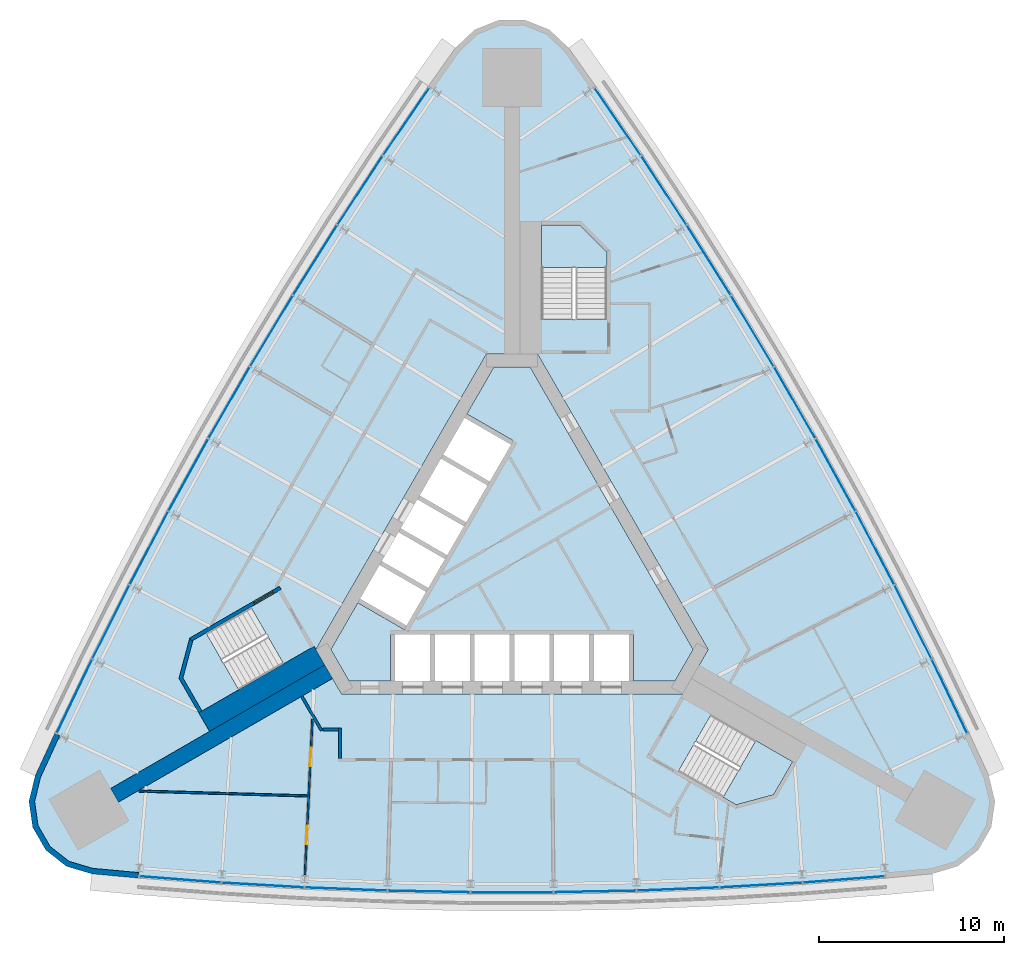
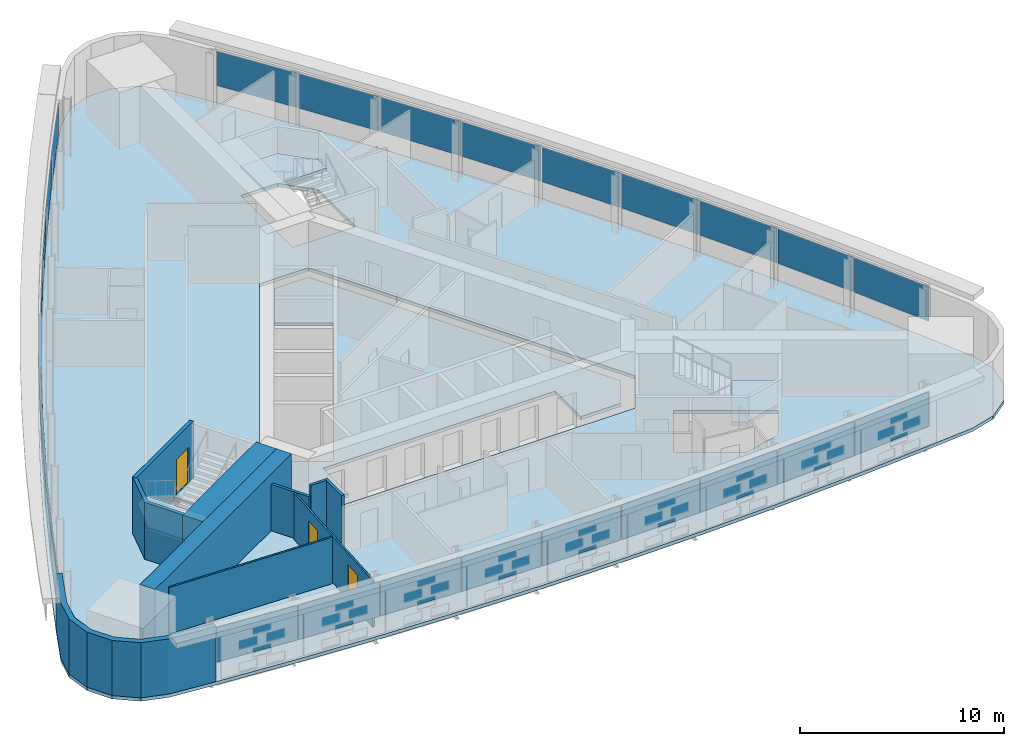
# One storey, part 8 of 14: 27 plates, 10 walls, 5 slabs, 3 doors, 3 openings, 6 elements without a shape of their own.
"""IFC4 building model written with IfcOpenShell, lengths in metres."""

from ifc_helpers import new_model, si_unit, direction, frame, frame_2d, origin, origin_2d, place, context, subcontext, project, spatial, polyline, rectangle, outline, extrude, material, layer, layer_set, type_object, element, fill, aggregate, save


model = new_model("IFC4")

# Units and contexts
model_context = context("Model", 3, precision=1e-05, world=origin(), true_north=direction((0.0, 1.0)))
body_context = subcontext(model_context, "Body", "Model", "MODEL_VIEW")
ifc_project = project(units=[si_unit("LENGTHUNIT", "METRE"), si_unit("AREAUNIT", "SQUARE_METRE"), si_unit("VOLUMEUNIT", "CUBIC_METRE"), si_unit("PLANEANGLEUNIT", "RADIAN"), si_unit("MASSUNIT", "GRAM", prefix="KILO")], contexts=[model_context])

# Site, building, storey
site_placement = place(None, origin())
site = spatial("IfcSite", under=ifc_project, at=site_placement, CompositionType="ELEMENT")
building_placement = place(site_placement, origin())
building = spatial("IfcBuilding", under=site, at=building_placement, Name="Noor Cloister Tower", CompositionType="ELEMENT")
storey_placement = place(building_placement, frame((0.0, 0.0, 72.60009765625)))
storey = spatial("IfcBuildingStorey", under=building, at=storey_placement, Name="L18", CompositionType="ELEMENT", Elevation=72.60009765625)

# Slabs
ifc_material_1 = material(Name="Concrete C40/50", Category="concrete")
ifc_layer_1 = layer(ifc_material_1, 0.199951171875)
ifc_layer_set_1 = layer_set([ifc_layer_1], Name="Core floor slab 200 C40/50")
slab_type_1 = type_object("IfcSlabType", Name="Core floor slab 200 C40/50", PredefinedType="FLOOR", material=ifc_layer_set_1)
slab_1_placement = place(storey_placement, frame((0.0, 0.0, -0.2001953125)))
element("IfcSlab", 1, at=slab_1_placement, inside=storey, type_object=slab_type_1, Name="Core floor L18", PredefinedType="FLOOR", context=body_context, shape_type="SweptSolid", body=[
    extrude(outline(polyline([(-6.574951171875, -6.228271484375), (-6.574951171875, -3.728271484375), (6.574951171875, -3.728271484375), (6.574951171875, -6.228271484375), (8.82470703125, -6.228271484375), (9.80615234375, -4.5283203125), (0.9814453125, 10.75634765625), (-0.9814453125, 10.75634765625), (-2.44384765625, 8.2236328125), (0.067626953125, 6.773681640625), (-5.832275390625, -3.4453125), (-8.34375, -1.995361328125), (-9.80615234375, -4.5283203125), (-8.82470703125, -6.228271484375), (-6.574951171875, -6.228271484375)])), origin(), (0.0, 0.0, 1.0), 0.2001953125),
])
ifc_material_2 = material(Name="Concrete C40/50", Category="concrete")
ifc_layer_2 = layer(ifc_material_2, 0.199951171875)
ifc_layer_set_2 = layer_set([ifc_layer_2], Name="Floor slab 200 C40/50")
slab_type_2 = type_object("IfcSlabType", Name="Floor slab 200 C40/50", PredefinedType="FLOOR", material=ifc_layer_set_2)
slab_2_placement = place(storey_placement, frame((0.0, 0.0, -0.2001953125)))
element("IfcSlab", 2, at=slab_2_placement, inside=storey, type_object=slab_type_2, Name="Floor slab L18", PredefinedType="FLOOR", context=body_context, shape_type="SweptSolid", body=[
    extrude(outline(polyline([(3.05908203125, 28.035888671875), (2.029052734375, 29.013916015625), (0.710205078125, 29.540283203125), (-0.710205078125, 29.540283203125), (-2.029052734375, 29.013916015625), (-3.05908203125, 28.035888671875), (-4.524169921875, 25.96533203125), (-7.06787109375, 22.25341796875), (-9.53955078125, 18.492919921875), (-11.938232421875, 14.685546875), (-14.262939453125, 10.832763671875), (-16.5126953125, 6.935546875), (-18.687255859375, 2.995849609375), (-20.78515625, -0.985107421875), (-22.805908203125, -5.005615234375), (-24.748779296875, -9.064697265625), (-25.809326171875, -11.36865234375), (-26.141357421875, -12.74951171875), (-25.937744140625, -14.1552734375), (-25.227783203125, -15.38525390625), (-24.112060546875, -16.26416015625), (-22.750244140625, -16.6669921875), (-20.224609375, -16.900634765625), (-15.738037109375, -17.24755859375), (-11.24560546875, -17.508056640625), (-6.7490234375, -17.681640625), (-2.25, -17.768310546875), (2.25, -17.768310546875), (6.7490234375, -17.681640625), (11.24560546875, -17.508056640625), (15.738037109375, -17.24755859375), (20.224609375, -16.900634765625), (22.750244140625, -16.6669921875), (24.112060546875, -16.26416015625), (25.227783203125, -15.38525390625), (25.937744140625, -14.1552734375), (26.141357421875, -12.74951171875), (25.809326171875, -11.36865234375), (24.748779296875, -9.064697265625), (22.805908203125, -5.005615234375), (20.78515625, -0.985107421875), (18.687255859375, 2.995849609375), (16.5126953125, 6.935546875), (14.262939453125, 10.832763671875), (11.938232421875, 14.685546875), (9.53955078125, 18.492919921875), (7.06787109375, 22.25341796875), (4.524169921875, 25.96533203125), (3.05908203125, 28.035888671875)]), holes=[polyline([(8.999755859375, -11.126220703125), (12.131591796875, -12.934326171875), (14.1572265625, -12.3916015625), (15.19091796875, -10.601318359375), (10.774658203125, -8.0517578125), (8.999755859375, -11.126220703125)]), polyline([(-17.81005859375, -6.064697265625), (-16.776611328125, -7.85498046875), (-12.3603515625, -5.305419921875), (-14.13525390625, -2.23095703125), (-16.662841796875, -3.690185546875), (-17.267333984375, -4.039306640625), (-17.81005859375, -6.064697265625)]), polyline([(-10.6142578125, -4.5283203125), (-9.228759765625, -6.92822265625), (9.228759765625, -6.92822265625), (10.6142578125, -4.5283203125), (1.3857421875, 11.456298828125), (-1.3857421875, 11.456298828125), (-10.6142578125, -4.5283203125)]), polyline([(3.65283203125, 18.456298828125), (1.585693359375, 18.456298828125), (1.585693359375, 13.35693359375), (5.135498046875, 13.35693359375), (5.135498046875, 16.9736328125), (3.65283203125, 18.456298828125)])]), origin(), (0.0, 0.0, 1.0), 0.2001953125),
])

# Curtain wall, plates
ifc_material_3 = material(Name="Aluminium 6063-T6 anodised", Category="aluminium")
curtain_wall_type = type_object("IfcCurtainWallType", Name="Ribbon curtain wall, lower tower CW1", PredefinedType="NOTDEFINED", material=ifc_material_3)
curtain_wall_1_placement = place(storey_placement, origin())
curtain_wall_1 = element("IfcCurtainWall", 3, at=curtain_wall_1_placement, inside=storey, type_object=curtain_wall_type, Name="CW1 L18 NW run 1", PredefinedType="NOTDEFINED")
ifc_material_4 = material(Name="Clear laminated glass 2 x 8 mm", Category="glass")
ifc_layer_3 = layer(ifc_material_4, 0.028076171875)
ifc_layer_set_3 = layer_set([ifc_layer_3], Name="Glass panel CW1")
plate_type = type_object("IfcPlateType", Name="Glass panel CW1", PredefinedType="CURTAIN_PANEL", material=ifc_layer_set_3)
plate_1_placement = place(storey_placement, frame((-5.724609375, 24.03662109375, 1.08984375), z_axis=(0.0, 0.0, 1.0), x_axis=(-0.56527615209, -0.82490173468, 0.0)))
plate_1 = element("IfcPlate", 4, at=plate_1_placement, type_object=plate_type, Name="CW1 glass panel 1", PredefinedType="CURTAIN_PANEL", context=body_context, shape_type="SweptSolid", body=[
    extrude(rectangle(XDim=4.39892578125, YDim=0.028076171875, at=origin_2d()), origin(), (0.0, 0.0, 1.0), 2.070068359375),
])
plate_2_placement = place(storey_placement, frame((-8.22021484375, 20.318359375, 1.08984375), z_axis=(0.0, 0.0, 1.0), x_axis=(-0.549257685694, -0.835653034881, 0.0)))
plate_2 = element("IfcPlate", 5, at=plate_2_placement, type_object=plate_type, Name="CW1 glass panel 2", PredefinedType="CURTAIN_PANEL", context=body_context, shape_type="SweptSolid", body=[
    extrude(rectangle(XDim=4.43798828125, YDim=0.028076171875, at=origin_2d()), origin(), (0.0, 0.0, 1.0), 2.070068359375),
])
plate_3_placement = place(storey_placement, frame((-10.654296875, 16.535888671875, 1.08984375), z_axis=(0.0, 0.0, 1.0), x_axis=(-0.533034810395, -0.846093310993, 0.0)))
plate_3 = element("IfcPlate", 6, at=plate_3_placement, type_object=plate_type, Name="CW1 glass panel 3", PredefinedType="CURTAIN_PANEL", context=body_context, shape_type="SweptSolid", body=[
    extrude(rectangle(XDim=4.43798828125, YDim=0.028076171875, at=origin_2d()), origin(), (0.0, 0.0, 1.0), 2.070068359375),
])
plate_4_placement = place(storey_placement, frame((-13.014892578125, 12.70751953125, 1.08984375), z_axis=(0.0, 0.0, 1.0), x_axis=(-0.516613534697, -0.856218696226, 0.0)))
plate_4 = element("IfcPlate", 7, at=plate_4_placement, type_object=plate_type, Name="CW1 glass panel 4", PredefinedType="CURTAIN_PANEL", context=body_context, shape_type="SweptSolid", body=[
    extrude(rectangle(XDim=4.43798828125, YDim=0.028076171875, at=origin_2d()), origin(), (0.0, 0.0, 1.0), 2.070068359375),
])
plate_5_placement = place(storey_placement, frame((-15.30126953125, 8.834228515625, 1.08984375), z_axis=(0.0, 0.0, 1.0), x_axis=(-0.5, -0.866025403784, 0.0)))
plate_5 = element("IfcPlate", 8, at=plate_5_placement, type_object=plate_type, Name="CW1 glass panel 5", PredefinedType="CURTAIN_PANEL", context=body_context, shape_type="SweptSolid", body=[
    extrude(rectangle(XDim=4.43798828125, YDim=0.028076171875, at=origin_2d()), origin(), (0.0, 0.0, 1.0), 2.070068359375),
])
plate_6_placement = place(storey_placement, frame((-17.512451171875, 4.91748046875, 1.08984375), z_axis=(0.0, 0.0, 1.0), x_axis=(-0.483200374778, -0.8755097931, 0.0)))
plate_6 = element("IfcPlate", 9, at=plate_6_placement, type_object=plate_type, Name="CW1 glass panel 6", PredefinedType="CURTAIN_PANEL", context=body_context, shape_type="SweptSolid", body=[
    extrude(rectangle(XDim=4.43798828125, YDim=0.028076171875, at=origin_2d()), origin(), (0.0, 0.0, 1.0), 2.070068359375),
])
plate_7_placement = place(storey_placement, frame((-19.647705078125, 0.958740234375, 1.08984375), z_axis=(0.0, 0.0, 1.0), x_axis=(-0.466220896094, -0.8846683424, 0.0)))
plate_7 = element("IfcPlate", 10, at=plate_7_placement, type_object=plate_type, Name="CW1 glass panel 7", PredefinedType="CURTAIN_PANEL", context=body_context, shape_type="SweptSolid", body=[
    extrude(rectangle(XDim=4.43798828125, YDim=0.028076171875, at=origin_2d()), origin(), (0.0, 0.0, 1.0), 2.070068359375),
])
plate_8_placement = place(storey_placement, frame((-21.706298828125, -3.040283203125, 1.08984375), z_axis=(0.0, 0.0, 1.0), x_axis=(-0.449067914109, -0.893497626476, 0.0)))
plate_8 = element("IfcPlate", 11, at=plate_8_placement, type_object=plate_type, Name="CW1 glass panel 8", PredefinedType="CURTAIN_PANEL", context=body_context, shape_type="SweptSolid", body=[
    extrude(rectangle(XDim=4.43798828125, YDim=0.028076171875, at=origin_2d()), origin(), (0.0, 0.0, 1.0), 2.070068359375),
])
plate_9_placement = place(storey_placement, frame((-23.6787109375, -7.060791015625, 1.08984375), z_axis=(0.0, 0.0, 1.0), x_axis=(-0.431747781814, -0.901994375203, 0.0)))
plate_9 = element("IfcPlate", 12, at=plate_9_placement, type_object=plate_type, Name="CW1 glass panel 9", PredefinedType="CURTAIN_PANEL", context=body_context, shape_type="SweptSolid", body=[
    extrude(rectangle(XDim=4.39892578125, YDim=0.028076171875, at=origin_2d()), origin(), (0.0, 0.0, 1.0), 2.070068359375),
])
aggregate(curtain_wall_1, [plate_1, plate_2, plate_3, plate_4, plate_5, plate_6, plate_7, plate_8, plate_9])

curtain_wall_2_placement = place(storey_placement, origin())
curtain_wall_2 = element("IfcCurtainWall", 13, at=curtain_wall_2_placement, inside=storey, type_object=curtain_wall_type, Name="CW1 L18 S run 2", PredefinedType="NOTDEFINED")
plate_10_placement = place(storey_placement, frame((-17.9541015625, -16.97607421875, 1.08984375), z_axis=(0.0, 0.0, 1.0), x_axis=(0.997023933904, -0.077092640523, 0.0)))
plate_10 = element("IfcPlate", 14, at=plate_10_placement, type_object=plate_type, Name="CW1 glass panel 1", PredefinedType="CURTAIN_PANEL", context=body_context, shape_type="SweptSolid", body=[
    extrude(rectangle(XDim=4.39892578125, YDim=0.028076171875, at=origin_2d()), origin(), (0.0, 0.0, 1.0), 2.070068359375),
])
plate_11_placement = place(storey_placement, frame((-13.486083984375, -17.278076171875, 1.08984375), z_axis=(0.0, 0.0, 1.0), x_axis=(0.998325599804, -0.057844591595, 0.0)))
plate_11 = element("IfcPlate", 15, at=plate_11_placement, type_object=plate_type, Name="CW1 glass panel 2", PredefinedType="CURTAIN_PANEL", context=body_context, shape_type="SweptSolid", body=[
    extrude(rectangle(XDim=4.43798828125, YDim=0.028076171875, at=origin_2d()), origin(), (0.0, 0.0, 1.0), 2.070068359375),
])
plate_12_placement = place(storey_placement, frame((-8.993408203125, -17.494873046875, 1.08984375), z_axis=(0.0, 0.0, 1.0), x_axis=(0.99925570649, -0.038575031407, 0.0)))
plate_12 = element("IfcPlate", 16, at=plate_12_placement, type_object=plate_type, Name="CW1 glass panel 3", PredefinedType="CURTAIN_PANEL", context=body_context, shape_type="SweptSolid", body=[
    extrude(rectangle(XDim=4.43798828125, YDim=0.028076171875, at=origin_2d()), origin(), (0.0, 0.0, 1.0), 2.070068359375),
])
plate_13_placement = place(storey_placement, frame((-4.49755859375, -17.625, 1.08984375), z_axis=(0.0, 0.0, 1.0), x_axis=(0.999813909476, -0.019291096874, 0.0)))
plate_13 = element("IfcPlate", 17, at=plate_13_placement, type_object=plate_type, Name="CW1 glass panel 4", PredefinedType="CURTAIN_PANEL", context=body_context, shape_type="SweptSolid", body=[
    extrude(rectangle(XDim=4.43798828125, YDim=0.028076171875, at=origin_2d()), origin(), (0.0, 0.0, 1.0), 2.070068359375),
])
plate_14_placement = place(storey_placement, frame((0.0, -17.668212890625, 1.08984375), z_axis=(0.0, 0.0, 1.0), x_axis=(1.0, 0.0, 0.0)))
plate_14 = element("IfcPlate", 18, at=plate_14_placement, type_object=plate_type, Name="CW1 glass panel 5", PredefinedType="CURTAIN_PANEL", context=body_context, shape_type="SweptSolid", body=[
    extrude(rectangle(XDim=4.43798828125, YDim=0.028076171875, at=origin_2d()), origin(), (0.0, 0.0, 1.0), 2.070068359375),
])
plate_15_placement = place(storey_placement, frame((4.49755859375, -17.625, 1.08984375), z_axis=(0.0, 0.0, 1.0), x_axis=(0.999813909476, 0.019291096874, 0.0)))
plate_15 = element("IfcPlate", 19, at=plate_15_placement, type_object=plate_type, Name="CW1 glass panel 6", PredefinedType="CURTAIN_PANEL", context=body_context, shape_type="SweptSolid", body=[
    extrude(rectangle(XDim=4.43798828125, YDim=0.028076171875, at=origin_2d()), origin(), (0.0, 0.0, 1.0), 2.070068359375),
])
plate_16_placement = place(storey_placement, frame((8.993408203125, -17.494873046875, 1.08984375), z_axis=(0.0, 0.0, 1.0), x_axis=(0.99925570649, 0.038575031407, 0.0)))
plate_16 = element("IfcPlate", 20, at=plate_16_placement, type_object=plate_type, Name="CW1 glass panel 7", PredefinedType="CURTAIN_PANEL", context=body_context, shape_type="SweptSolid", body=[
    extrude(rectangle(XDim=4.43798828125, YDim=0.028076171875, at=origin_2d()), origin(), (0.0, 0.0, 1.0), 2.070068359375),
])
plate_17_placement = place(storey_placement, frame((13.486083984375, -17.278076171875, 1.08984375), z_axis=(0.0, 0.0, 1.0), x_axis=(0.998325599804, 0.057844591595, 0.0)))
plate_17 = element("IfcPlate", 21, at=plate_17_placement, type_object=plate_type, Name="CW1 glass panel 8", PredefinedType="CURTAIN_PANEL", context=body_context, shape_type="SweptSolid", body=[
    extrude(rectangle(XDim=4.43798828125, YDim=0.028076171875, at=origin_2d()), origin(), (0.0, 0.0, 1.0), 2.070068359375),
])
plate_18_placement = place(storey_placement, frame((17.9541015625, -16.97607421875, 1.08984375), z_axis=(0.0, 0.0, 1.0), x_axis=(0.997023933904, 0.077092640523, 0.0)))
plate_18 = element("IfcPlate", 22, at=plate_18_placement, type_object=plate_type, Name="CW1 glass panel 9", PredefinedType="CURTAIN_PANEL", context=body_context, shape_type="SweptSolid", body=[
    extrude(rectangle(XDim=4.39892578125, YDim=0.028076171875, at=origin_2d()), origin(), (0.0, 0.0, 1.0), 2.070068359375),
])
aggregate(curtain_wall_2, [plate_10, plate_11, plate_12, plate_13, plate_14, plate_15, plate_16, plate_17, plate_18])

curtain_wall_3_placement = place(storey_placement, origin())
curtain_wall_3 = element("IfcCurtainWall", 23, at=curtain_wall_3_placement, inside=storey, type_object=curtain_wall_type, Name="CW1 L18 NE run 3", PredefinedType="NOTDEFINED")
plate_19_placement = place(storey_placement, frame((23.6787109375, -7.060791015625, 1.08984375), z_axis=(0.0, 0.0, 1.0), x_axis=(-0.431747781814, 0.901994375203, 0.0)))
plate_19 = element("IfcPlate", 24, at=plate_19_placement, type_object=plate_type, Name="CW1 glass panel 1", PredefinedType="CURTAIN_PANEL", context=body_context, shape_type="SweptSolid", body=[
    extrude(rectangle(XDim=4.39892578125, YDim=0.028076171875, at=origin_2d()), origin(), (0.0, 0.0, 1.0), 2.070068359375),
])
plate_20_placement = place(storey_placement, frame((21.706298828125, -3.040283203125, 1.08984375), z_axis=(0.0, 0.0, 1.0), x_axis=(-0.449067914109, 0.893497626476, 0.0)))
plate_20 = element("IfcPlate", 25, at=plate_20_placement, type_object=plate_type, Name="CW1 glass panel 2", PredefinedType="CURTAIN_PANEL", context=body_context, shape_type="SweptSolid", body=[
    extrude(rectangle(XDim=4.43798828125, YDim=0.028076171875, at=origin_2d()), origin(), (0.0, 0.0, 1.0), 2.070068359375),
])
plate_21_placement = place(storey_placement, frame((19.647705078125, 0.958740234375, 1.08984375), z_axis=(0.0, 0.0, 1.0), x_axis=(-0.466220896094, 0.8846683424, 0.0)))
plate_21 = element("IfcPlate", 26, at=plate_21_placement, type_object=plate_type, Name="CW1 glass panel 3", PredefinedType="CURTAIN_PANEL", context=body_context, shape_type="SweptSolid", body=[
    extrude(rectangle(XDim=4.43798828125, YDim=0.028076171875, at=origin_2d()), origin(), (0.0, 0.0, 1.0), 2.070068359375),
])
plate_22_placement = place(storey_placement, frame((17.512451171875, 4.91748046875, 1.08984375), z_axis=(0.0, 0.0, 1.0), x_axis=(-0.483200374778, 0.8755097931, 0.0)))
plate_22 = element("IfcPlate", 27, at=plate_22_placement, type_object=plate_type, Name="CW1 glass panel 4", PredefinedType="CURTAIN_PANEL", context=body_context, shape_type="SweptSolid", body=[
    extrude(rectangle(XDim=4.43798828125, YDim=0.028076171875, at=origin_2d()), origin(), (0.0, 0.0, 1.0), 2.070068359375),
])
plate_23_placement = place(storey_placement, frame((15.30126953125, 8.834228515625, 1.08984375), z_axis=(0.0, 0.0, 1.0), x_axis=(-0.5, 0.866025403784, 0.0)))
plate_23 = element("IfcPlate", 28, at=plate_23_placement, type_object=plate_type, Name="CW1 glass panel 5", PredefinedType="CURTAIN_PANEL", context=body_context, shape_type="SweptSolid", body=[
    extrude(rectangle(XDim=4.43798828125, YDim=0.028076171875, at=origin_2d()), origin(), (0.0, 0.0, 1.0), 2.070068359375),
])
plate_24_placement = place(storey_placement, frame((13.014892578125, 12.70751953125, 1.08984375), z_axis=(0.0, 0.0, 1.0), x_axis=(-0.516613534697, 0.856218696226, 0.0)))
plate_24 = element("IfcPlate", 29, at=plate_24_placement, type_object=plate_type, Name="CW1 glass panel 6", PredefinedType="CURTAIN_PANEL", context=body_context, shape_type="SweptSolid", body=[
    extrude(rectangle(XDim=4.43798828125, YDim=0.028076171875, at=origin_2d()), origin(), (0.0, 0.0, 1.0), 2.070068359375),
])
plate_25_placement = place(storey_placement, frame((10.654296875, 16.535888671875, 1.08984375), z_axis=(0.0, 0.0, 1.0), x_axis=(-0.533034810395, 0.846093310993, 0.0)))
plate_25 = element("IfcPlate", 30, at=plate_25_placement, type_object=plate_type, Name="CW1 glass panel 7", PredefinedType="CURTAIN_PANEL", context=body_context, shape_type="SweptSolid", body=[
    extrude(rectangle(XDim=4.43798828125, YDim=0.028076171875, at=origin_2d()), origin(), (0.0, 0.0, 1.0), 2.070068359375),
])
plate_26_placement = place(storey_placement, frame((8.22021484375, 20.318359375, 1.08984375), z_axis=(0.0, 0.0, 1.0), x_axis=(-0.549257685694, 0.835653034881, 0.0)))
plate_26 = element("IfcPlate", 31, at=plate_26_placement, type_object=plate_type, Name="CW1 glass panel 8", PredefinedType="CURTAIN_PANEL", context=body_context, shape_type="SweptSolid", body=[
    extrude(rectangle(XDim=4.43798828125, YDim=0.028076171875, at=origin_2d()), origin(), (0.0, 0.0, 1.0), 2.070068359375),
])
plate_27_placement = place(storey_placement, frame((5.724609375, 24.03662109375, 1.08984375), z_axis=(0.0, 0.0, 1.0), x_axis=(-0.56527615209, 0.82490173468, 0.0)))
plate_27 = element("IfcPlate", 32, at=plate_27_placement, type_object=plate_type, Name="CW1 glass panel 9", PredefinedType="CURTAIN_PANEL", context=body_context, shape_type="SweptSolid", body=[
    extrude(rectangle(XDim=4.39892578125, YDim=0.028076171875, at=origin_2d()), origin(), (0.0, 0.0, 1.0), 2.070068359375),
])
aggregate(curtain_wall_3, [plate_19, plate_20, plate_21, plate_22, plate_23, plate_24, plate_25, plate_26, plate_27])

# Stair, slab
ifc_material_5 = material(Name="Concrete C40/50", Category="concrete")
stair_type = type_object("IfcStairType", Name="Exit stair 22 risers", PredefinedType="HALF_TURN_STAIR", material=ifc_material_5)
stair_1_placement = place(storey_placement, origin())
stair_1 = element("IfcStair", 33, at=stair_1_placement, inside=storey, type_object=stair_type, Name="Exit stair ST1 L18", PredefinedType="HALF_TURN_STAIR")
ifc_material_6 = material(Name="Concrete C40/50", Category="concrete")
ifc_layer_4 = layer(ifc_material_6, 0.199951171875)
ifc_layer_set_4 = layer_set([ifc_layer_4], Name="Stair landing 200 C40/50")
slab_type_3 = type_object("IfcSlabType", Name="Stair landing 200 C40/50", PredefinedType="LANDING", material=ifc_layer_set_4)
slab_3_placement = place(storey_placement, frame((0.0, 0.0, 1.599853515625)))
slab_3 = element("IfcSlab", 34, at=slab_3_placement, type_object=slab_type_3, Name="ST1 landing 1", PredefinedType="LANDING", context=body_context, shape_type="SweptSolid", body=[
    extrude(outline(polyline([(5.135498046875, 16.15576171875), (5.135498046875, 16.9736328125), (3.65283203125, 18.456298828125), (1.585693359375, 18.456298828125), (1.585693359375, 16.15576171875), (5.135498046875, 16.15576171875)])), origin(), (0.0, 0.0, 1.0), 0.199951171875),
])
aggregate(stair_1, [slab_3])

stair_2_placement = place(storey_placement, origin())
stair_2 = element("IfcStair", 35, at=stair_2_placement, inside=storey, type_object=stair_type, Name="Exit stair ST2 L18", PredefinedType="HALF_TURN_STAIR")
slab_4_placement = place(storey_placement, frame((0.0, 0.0, 1.599853515625)))
slab_4 = element("IfcSlab", 36, at=slab_4_placement, type_object=slab_type_3, Name="ST2 landing 1", PredefinedType="LANDING", context=body_context, shape_type="SweptSolid", body=[
    extrude(outline(polyline([(-16.55908203125, -3.63037109375), (-17.267333984375, -4.039306640625), (-17.81005859375, -6.064697265625), (-16.776611328125, -7.85498046875), (-14.7841796875, -6.70458984375), (-16.55908203125, -3.63037109375)])), origin(), (0.0, 0.0, 1.0), 0.199951171875),
])
aggregate(stair_2, [slab_4])

stair_3_placement = place(storey_placement, origin())
stair_3 = element("IfcStair", 37, at=stair_3_placement, inside=storey, type_object=stair_type, Name="Exit stair ST3 L18", PredefinedType="HALF_TURN_STAIR")
slab_5_placement = place(storey_placement, frame((0.0, 0.0, 1.599853515625)))
slab_5 = element("IfcSlab", 38, at=slab_5_placement, type_object=slab_type_3, Name="ST3 landing 1", PredefinedType="LANDING", context=body_context, shape_type="SweptSolid", body=[
    extrude(outline(polyline([(11.423583984375, -12.525390625), (12.131591796875, -12.934326171875), (14.1572265625, -12.3916015625), (15.19091796875, -10.601318359375), (13.198486328125, -9.451171875), (11.423583984375, -12.525390625)])), origin(), (0.0, 0.0, 1.0), 0.199951171875),
])
aggregate(stair_3, [slab_5])

# Walls
ifc_material_7 = material(Name="Concrete C80/95", Category="concrete")
ifc_layer_5 = layer(ifc_material_7, 0.85009765625)
ifc_layer_set_5 = layer_set([ifc_layer_5], Name="Buttress wall 850 C80/95")
wall_type_1 = type_object("IfcWallType", Name="Buttress wall 850 C80/95", PredefinedType="SHEAR", material=ifc_layer_set_5)
wall_1_placement = place(storey_placement, frame((-9.921630859375, -5.728271484375, -0.2001953125), z_axis=(0.0, 0.0, 1.0), x_axis=(-0.866026077102, -0.499998833779, 0.0)))
element("IfcWall", 39, at=wall_1_placement, inside=storey, type_object=wall_type_1, Name="Buttress wall SW L18", PredefinedType="SHEAR", context=body_context, shape_type="SweptSolid", body=[
    extrude(rectangle(XDim=13.38134765625, YDim=0.85009765625, at=frame_2d((6.690673828125, 0.0))), origin(), (0.0, 0.0, 1.0), 3.60009765625),
])
ifc_material_8 = material(Name="Gypsum board partition on steel studs, 150 mm", Category="steel")
ifc_layer_6 = layer(ifc_material_8, 0.14990234375)
ifc_layer_set_6 = layer_set([ifc_layer_6], Name="Flat wall 150")
wall_type_2 = type_object("IfcWallType", Name="Flat wall 150", PredefinedType="PARTITIONING", material=ifc_layer_set_6)
wall_2_placement = place(storey_placement, frame((-11.376220703125, -7.058837890625, 0.0), z_axis=(0.0, 0.0, 1.0), x_axis=(0.500076779081, -0.865981070823, 0.0)))
element("IfcWall", 40, at=wall_2_placement, inside=storey, type_object=wall_type_2, Name="Flat wall 150 L18 012", PredefinedType="PARTITIONING", context=body_context, shape_type="SweptSolid", body=[
    extrude(rectangle(XDim=2.147216796875, YDim=0.14990234375, at=frame_2d((1.07373046875, 0.0))), origin(), (0.0, 0.0, 1.0), 2.77783203125),
])
wall_3_placement = place(storey_placement, frame((-9.3037109375, -10.42822265625, 0.0), z_axis=(0.0, 0.0, 1.0), x_axis=(0.0, 1.0, 0.0)))
element("IfcWall", 41, at=wall_3_placement, inside=storey, type_object=wall_type_2, Name="Flat wall 150 L18 014", PredefinedType="PARTITIONING", context=body_context, shape_type="SweptSolid", body=[
    extrude(rectangle(XDim=1.64990234375, YDim=0.14990234375, at=frame_2d((0.824951171875, 0.0))), origin(), (0.0, 0.0, 1.0), 3.39990234375),
])
wall_4_placement = place(storey_placement, frame((-10.23779296875, -8.853271484375, 0.0), z_axis=(0.0, 0.0, 1.0), x_axis=(1.0, 0.0, 0.0)))
element("IfcWall", 42, at=wall_4_placement, inside=storey, type_object=wall_type_2, Name="Flat wall 150 L18 015", PredefinedType="PARTITIONING", context=body_context, shape_type="SweptSolid", body=[
    extrude(rectangle(XDim=0.859130859375, YDim=0.14990234375, at=frame_2d((0.4296875, 0.0))), origin(), (0.0, 0.0, 1.0), 3.39990234375),
])
ifc_material_9 = material(Name="Limestone", Category="masonry")
ifc_layer_7 = layer(ifc_material_9, 0.300048828125)
ifc_layer_set_7 = layer_set([ifc_layer_7], Name="Limestone cladding 300")
wall_type_3 = type_object("IfcWallType", Name="Limestone cladding 300", PredefinedType="NOTDEFINED", material=ifc_layer_set_7)
wall_5_placement = place(storey_placement, origin())
element("IfcWall", 43, at=wall_5_placement, inside=storey, type_object=wall_type_3, Name="Limestone pier cladding L18 1.1", PredefinedType="NOTDEFINED", context=body_context, shape_type="SweptSolid", body=[
    extrude(outline(polyline([(-24.748779296875, -9.064697265625), (-25.809326171875, -11.36865234375), (-26.141357421875, -12.74951171875), (-25.937744140625, -14.1552734375), (-25.227783203125, -15.38525390625), (-24.112060546875, -16.26416015625), (-22.750244140625, -16.6669921875), (-20.224609375, -16.900634765625), (-20.197021484375, -16.60205078125), (-22.693359375, -16.37109375), (-23.9716796875, -15.992919921875), (-24.99658203125, -15.185302734375), (-25.649169921875, -14.05517578125), (-25.836181640625, -12.763671875), (-25.5244140625, -11.467529296875), (-24.476318359375, -9.18994140625), (-24.748779296875, -9.064697265625)])), origin(), (0.0, 0.0, 1.0), 3.2998046875),
])
ifc_material_10 = material(Name="Gypsum board partition on steel studs, 100 mm", Category="steel")
ifc_layer_8 = layer(ifc_material_10, 0.10009765625)
ifc_layer_set_8 = layer_set([ifc_layer_8], Name="Partition 100")
wall_type_4 = type_object("IfcWallType", Name="Partition 100", PredefinedType="PARTITIONING", material=ifc_layer_set_8)
wall_6_placement = place(storey_placement, frame((-11.088623046875, -12.452880859375, 0.0), z_axis=(0.0, 0.0, 1.0), x_axis=(-0.999581884532, 0.028914634982, 0.0)))
element("IfcWall", 44, at=wall_6_placement, inside=storey, type_object=wall_type_4, Name="Partition 100 L18 022", PredefinedType="PARTITIONING", context=body_context, shape_type="SweptSolid", body=[
    extrude(rectangle(XDim=9.09375, YDim=0.10009765625, at=frame_2d((4.546875, 0.0))), origin(), (0.0, 0.0, 1.0), 2.77783203125),
])

# Wall, openings, doors
wall_7_placement = place(storey_placement, frame((-11.20703125, -16.708740234375, 0.0), z_axis=(0.0, 0.0, 1.0), x_axis=(0.048196786961, 0.998837859578, 0.0)))
wall_7 = element("IfcWall", 45, at=wall_7_placement, inside=storey, type_object=wall_type_4, Name="Partition 100 L18 024", PredefinedType="PARTITIONING", context=body_context, shape_type="SweptSolid", body=[
    extrude(rectangle(XDim=8.428955078125, YDim=0.10009765625, at=frame_2d((4.21435546875, 0.0))), origin(), (0.0, 0.0, 1.0), 2.77783203125),
])
opening_1_placement = place(wall_7_placement, frame((5.8681640625, 0.0, 0.0)))
opening_1 = element("IfcOpeningElement", 46, at=opening_1_placement, cuts=wall_7, Name="Opening L18-015", PredefinedType="OPENING", context=body_context, shape_type="SweptSolid", body=[
    extrude(rectangle(XDim=1.0, YDim=2.10009765625, at=frame_2d((0.5, 1.050048828125))), frame((0.0, 0.06005859375, 0.0), z_axis=(0.0, -1.0, 0.0), x_axis=(1.0, 0.0, 0.0)), (0.0, 0.0, 1.0), 0.1201171875),
])
opening_2_placement = place(wall_7_placement, frame((1.635009765625, 0.0, 0.0)))
opening_2 = element("IfcOpeningElement", 47, at=opening_2_placement, cuts=wall_7, Name="Opening L18-016", PredefinedType="OPENING", context=body_context, shape_type="SweptSolid", body=[
    extrude(rectangle(XDim=1.0, YDim=2.10009765625, at=frame_2d((0.5, 1.050048828125))), frame((0.0, 0.06005859375, 0.0), z_axis=(0.0, -1.0, 0.0), x_axis=(1.0, 0.0, 0.0)), (0.0, 0.0, 1.0), 0.1201171875),
])
ifc_material_11 = material(Name="Timber door leaf with steel frame", Category="steel")
door_type_1 = type_object("IfcDoorType", Name="Interior door 1000", OperationType="NOTDEFINED", PredefinedType="DOOR", material=ifc_material_11)
door_1_placement = place(opening_1_placement, origin())
door_1 = element("IfcDoor", 48, at=door_1_placement, inside=storey, type_object=door_type_1, Name="Interior door 1000 L18-015", OperationType="SINGLE_SWING_RIGHT", OverallHeight=2.10009765625, OverallWidth=1.0, PredefinedType="DOOR", context=body_context, shape_type="SweptSolid", body=[
    extrude(rectangle(XDim=1.0, YDim=2.10009765625, at=frame_2d((0.5, 1.050048828125))), frame((0.0, 0.02490234375, 0.0), z_axis=(0.0, -1.0, 0.0), x_axis=(1.0, 0.0, 0.0)), (0.0, 0.0, 1.0), 0.050048828125),
])
fill(opening_1, door_1)
door_2_placement = place(opening_2_placement, origin())
door_2 = element("IfcDoor", 49, at=door_2_placement, inside=storey, type_object=door_type_1, Name="Interior door 1000 L18-016", OperationType="SINGLE_SWING_LEFT", OverallHeight=2.10009765625, OverallWidth=1.0, PredefinedType="DOOR", context=body_context, shape_type="SweptSolid", body=[
    extrude(rectangle(XDim=1.0, YDim=2.10009765625, at=frame_2d((0.5, 1.050048828125))), frame((0.0, 0.02490234375, 0.0), z_axis=(0.0, -1.0, 0.0), x_axis=(1.0, 0.0, 0.0)), (0.0, 0.0, 1.0), 0.050048828125),
])
fill(opening_2, door_2)

# Wall
ifc_material_12 = material(Name="Concrete C80/95", Category="concrete")
ifc_layer_9 = layer(ifc_material_12, 1.160888671875)
ifc_layer_set_9 = layer_set([ifc_layer_9], Name="Stair enclosure wall 1161 C80/95")
wall_type_5 = type_object("IfcWallType", Name="Stair enclosure wall 1161 C80/95", PredefinedType="SHEAR", material=ifc_layer_set_9)
wall_8_placement = place(storey_placement, frame((-10.42431640625, -4.857666015625, -0.2001953125), z_axis=(0.0, 0.0, 1.0), x_axis=(-0.866033125095, -0.499986626058, 0.0)))
element("IfcWall", 50, at=wall_8_placement, inside=storey, type_object=wall_type_5, Name="Stair enclosure wall ST2 L18 riser side", PredefinedType="SHEAR", context=body_context, shape_type="SweptSolid", body=[
    extrude(rectangle(XDim=7.199951171875, YDim=1.16064453125, at=frame_2d((3.60009765625, 0.0))), origin(), (0.0, 0.0, 1.0), 3.60009765625),
])

# Wall, opening, door
ifc_material_13 = material(Name="Concrete C80/95", Category="concrete")
ifc_layer_10 = layer(ifc_material_13, 0.199951171875)
ifc_layer_set_10 = layer_set([ifc_layer_10], Name="Stair enclosure wall 200 C80/95")
wall_type_6 = type_object("IfcWallType", Name="Stair enclosure wall 200 C80/95", PredefinedType="SHEAR", material=ifc_layer_set_10)
wall_9_placement = place(storey_placement, frame((-12.539306640625, -1.194091796875, -0.2001953125), z_axis=(0.0, 0.0, 1.0), x_axis=(-0.866045472092, -0.499965239061, 0.0)))
wall_9 = element("IfcWall", 51, at=wall_9_placement, inside=storey, type_object=wall_type_6, Name="Stair enclosure wall ST2 L18 outer side", PredefinedType="SHEAR", context=body_context, shape_type="SweptSolid", body=[
    extrude(rectangle(XDim=5.60009765625, YDim=0.199951171875, at=frame_2d((2.800048828125, 0.0))), origin(), (0.0, 0.0, 1.0), 3.60009765625),
])
opening_3_placement = place(wall_9_placement, frame((0.449951171875, 0.0, 0.199951171875)))
opening_3 = element("IfcOpeningElement", 52, at=opening_3_placement, cuts=wall_9, Name="Opening L18-ST2C", PredefinedType="OPENING", context=body_context, shape_type="SweptSolid", body=[
    extrude(rectangle(XDim=1.199951171875, YDim=2.10009765625, at=frame_2d((0.60009765625, 1.050048828125))), frame((0.0, 0.10986328125, 0.0), z_axis=(0.0, -1.0, 0.0), x_axis=(1.0, 0.0, 0.0)), (0.0, 0.0, 1.0), 0.219970703125),
])
ifc_material_14 = material(Name="Steel", Category="steel")
door_type_2 = type_object("IfcDoorType", Name="Stair door 1200 x 2100 FD120", OperationType="SINGLE_SWING_LEFT", PredefinedType="DOOR", material=ifc_material_14)
door_3_placement = place(opening_3_placement, origin())
door_3 = element("IfcDoor", 53, at=door_3_placement, inside=storey, type_object=door_type_2, Name="Stair door ST2 L18", OperationType="SINGLE_SWING_LEFT", OverallHeight=2.10009765625, OverallWidth=1.199951171875, PredefinedType="DOOR", context=body_context, shape_type="SweptSolid", body=[
    extrude(rectangle(XDim=1.199951171875, YDim=2.10009765625, at=frame_2d((0.60009765625, 1.050048828125))), frame((0.0, 0.02490234375, 0.0), z_axis=(0.0, -1.0, 0.0), x_axis=(1.0, 0.0, 0.0)), (0.0, 0.0, 1.0), 0.050048828125),
])
fill(opening_3, door_3)

# Wall
ifc_material_15 = material(Name="Concrete C80/95", Category="concrete")
wall_type_7 = type_object("IfcWallType", Name="Stair far end wall C80/95", PredefinedType="SHEAR", material=ifc_material_15)
wall_10_placement = place(storey_placement, frame((0.0, 0.0, -0.2001953125)))
element("IfcWall", 54, at=wall_10_placement, inside=storey, type_object=wall_type_7, Name="Stair enclosure wall ST2 L18 far end", PredefinedType="SHEAR", context=body_context, shape_type="SweptSolid", body=[
    extrude(outline(polyline([(-17.439208984375, -3.907470703125), (-18.024658203125, -6.093017578125), (-16.94970703125, -7.955078125), (-16.776611328125, -7.85498046875), (-17.81005859375, -6.064697265625), (-17.267333984375, -4.039306640625), (-17.339111328125, -4.08056640625), (-17.339111328125, -4.08056640625), (-17.339111328125, -4.08056640625), (-17.339111328125, -4.08056640625), (-17.339111328125, -4.08056640625), (-17.339111328125, -4.08056640625), (-17.339111328125, -4.08056640625), (-17.339111328125, -4.08056640625), (-17.339111328125, -4.08056640625), (-17.339111328125, -4.08056640625), (-17.339111328125, -4.08056640625), (-17.339111328125, -4.08056640625), (-17.339111328125, -4.08056640625), (-17.339111328125, -4.08056640625), (-17.339111328125, -4.08056640625), (-17.339111328125, -4.08056640625), (-17.339111328125, -4.08056640625), (-17.439208984375, -3.907470703125)])), origin(), (0.0, 0.0, 1.0), 3.60009765625),
])

save(model, "model.ifc")
